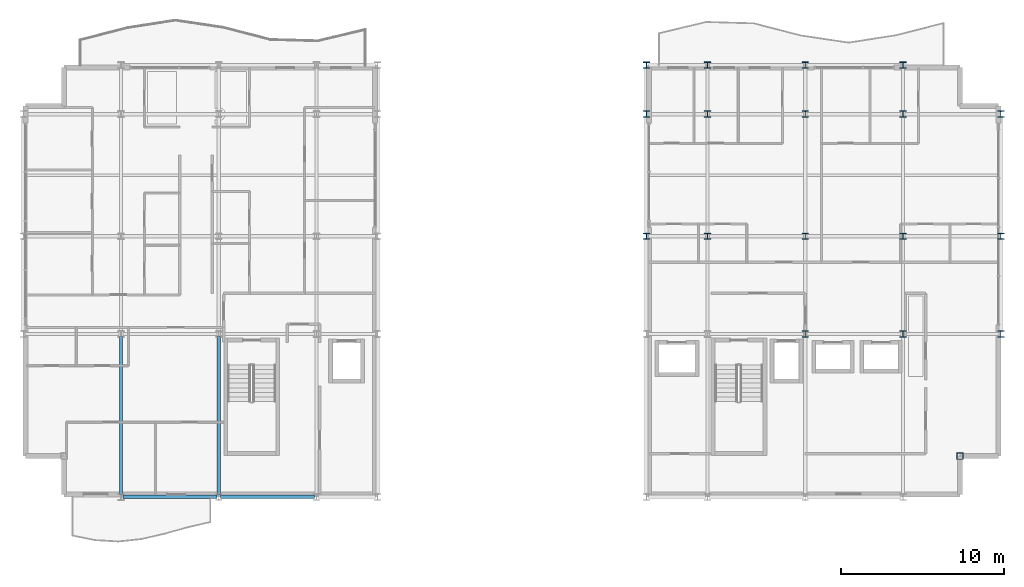
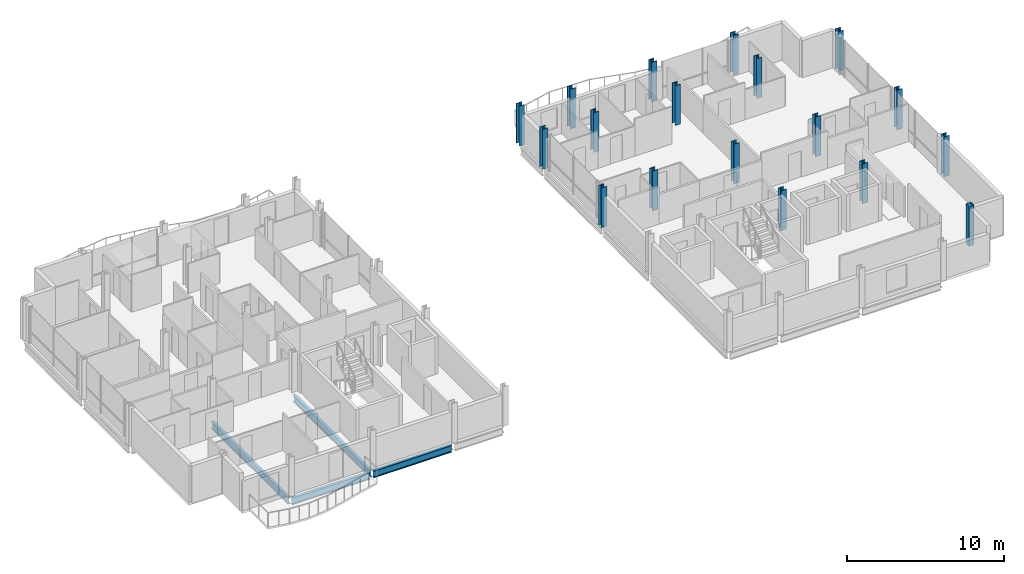
# One storey, part 2 of 27: 18 columns, 4 beams.
"""IFC4 building model written with IfcOpenShell, lengths in metres."""

import ifcopenshell
import ifcopenshell.guid

model = None  # the IFC model being written
_history = None  # IfcOwnerHistory: only IFC2X3 demands one
_inside = {}  # id of a spatial element -> (the spatial element, [elements in it])
_under = {}  # id of a project, library or spatial element -> (it, [spatial elements below it])
_declared = {}  # id of a project -> (the project, [libraries it declares])
_typed = {}  # id of a type object -> (the type object, [elements of that type])
_made_of = {}  # id of a material, layer set ... -> (it, [elements and type objects made of it])


def new_model(schema):
    """Start an empty IFC model of exactly this schema.

    Asked for "IFC4X3", IfcOpenShell would pick the latest addendum, in which some entities
    have other attributes; the version numbers below select the first issue.
    IFC2X3 requires an IfcOwnerHistory on every rooted entity: one is made here for all.
    """
    global model, _history
    if schema == "IFC4X3":
        model = ifcopenshell.file(schema_version=(4, 3, 0, 0))
    else:
        model = ifcopenshell.file(schema=schema)
    _inside.clear()
    _under.clear()
    _declared.clear()
    _typed.clear()
    _made_of.clear()
    _history = None
    if model.schema == "IFC2X3":
        org = make("IfcOrganization", Name="unknown")
        user = make(
            "IfcPersonAndOrganization",
            ThePerson=make("IfcPerson", FamilyName="unknown"),
            TheOrganization=org,
        )
        app = make(
            "IfcApplication",
            ApplicationDeveloper=org,
            Version="unknown",
            ApplicationFullName="unknown",
            ApplicationIdentifier="unknown",
        )
        _history = make(
            "IfcOwnerHistory",
            OwningUser=user,
            OwningApplication=app,
            ChangeAction="ADDED",
            CreationDate=0,
        )
    return model


def make(cls, **values):
    """One entity of the class cls with the attributes given. An attribute that is None is left unset."""
    return model.create_entity(
        cls, **{name: value for name, value in values.items() if value is not None}
    )


def rooted(cls, **values):
    """An entity with a GlobalId (a new one), such as an element, a storey or a relation."""
    return make(cls, GlobalId=ifcopenshell.guid.new(), OwnerHistory=_history, **values)


def si_unit(unit_type, name, prefix=None):
    """IfcSIUnit, for example si_unit("LENGTHUNIT", "METRE", prefix="MILLI")."""
    return make("IfcSIUnit", UnitType=unit_type, Prefix=prefix, Name=name)


def assignment(units):
    """IfcUnitAssignment: the units of a project."""
    return None if units is None else make("IfcUnitAssignment", Units=units)


def point(xyz):
    """IfcCartesianPoint."""
    return None if xyz is None else make("IfcCartesianPoint", Coordinates=xyz)


def direction(xyz):
    """IfcDirection."""
    return None if xyz is None else make("IfcDirection", DirectionRatios=xyz)


def frame(location, z_axis=None, x_axis=None):
    """IfcAxis2Placement3D, a coordinate frame: its origin and axes. An axis left out is left unset."""
    return make(
        "IfcAxis2Placement3D",
        Location=point(location),
        Axis=direction(z_axis),
        RefDirection=direction(x_axis),
    )


def frame_2d(location, x_axis=None):
    """IfcAxis2Placement2D, a coordinate frame in the plane: its origin and x axis."""
    return make(
        "IfcAxis2Placement2D", Location=point(location), RefDirection=direction(x_axis)
    )


def origin():
    """The frame at (0, 0, 0) with its axes left unset."""
    return frame((0.0, 0.0, 0.0))


def origin_2d():
    """The frame at (0, 0) in the plane with its x axis left unset."""
    return frame_2d((0.0, 0.0))


def place(relative_to, where):
    """IfcLocalPlacement: puts the frame where relative to a parent placement (None: the world)."""
    return make(
        "IfcLocalPlacement", PlacementRelTo=relative_to, RelativePlacement=where
    )


def context(
    kind, dimensions, precision=None, world=None, true_north=None, identifier=None
):
    """IfcGeometricRepresentationContext, for example the 3D "Model" context."""
    return make(
        "IfcGeometricRepresentationContext",
        ContextIdentifier=identifier,
        ContextType=kind,
        CoordinateSpaceDimension=dimensions,
        Precision=precision,
        WorldCoordinateSystem=world,
        TrueNorth=true_north,
    )


def subcontext(parent, identifier, kind, view, scale=None):
    """IfcGeometricRepresentationSubContext, for example "Body" below "Model"."""
    return make(
        "IfcGeometricRepresentationSubContext",
        ContextIdentifier=identifier,
        ContextType=kind,
        ParentContext=parent,
        TargetScale=scale,
        TargetView=view,
    )


def project(units=None, contexts=None):
    """IfcProject with its units and contexts."""
    return rooted(
        "IfcProject",
        Name="project",
        RepresentationContexts=contexts,
        UnitsInContext=assignment(units),
    )


def spatial(cls, under=None, at=None, **own):
    """A site, building, storey or space (cls), placed at a placement, below another one or the project."""
    s = rooted(cls, ObjectPlacement=at, **own)
    if under is not None:
        _under.setdefault(under.id(), (under, []))[1].append(s)
    return s


def profile(cls, at=None, kind="AREA", **sizes):
    """A parametric profile (cls). Its sizes go by their IFC names, for example OverallWidth=200.0."""
    return make(cls, ProfileType=kind, Position=at, **sizes)


def hollow_rectangle(**sizes):
    """IfcRectangleHollowProfileDef."""
    return profile("IfcRectangleHollowProfileDef", **sizes)


def i_section(**sizes):
    """IfcIShapeProfileDef."""
    return profile("IfcIShapeProfileDef", **sizes)


def extrude(swept, where, along, depth):
    """IfcExtrudedAreaSolid: the profile swept, set in the frame where, extruded along a direction by depth."""
    return make(
        "IfcExtrudedAreaSolid",
        SweptArea=swept,
        Position=where,
        ExtrudedDirection=direction(along),
        Depth=depth,
    )


def shape(context_of_items, identifier, shape_type, items):
    """IfcShapeRepresentation: the items that make up one representation, for example the "Body"."""
    return make(
        "IfcShapeRepresentation",
        ContextOfItems=context_of_items,
        RepresentationIdentifier=identifier,
        RepresentationType=shape_type,
        Items=items,
    )


def material(Name=None, Category=None):
    """IfcMaterial."""
    return make("IfcMaterial", Name=Name, Category=Category)


def material_profile(
    of_material, cross_section, Name=None, Category=None, Priority=None
):
    """IfcMaterialProfile: a cross section and its material."""
    return make(
        "IfcMaterialProfile",
        Name=Name,
        Material=of_material,
        Profile=cross_section,
        Priority=Priority,
        Category=Category,
    )


def profile_set(profiles, Name=None, composite=None):
    """IfcMaterialProfileSet."""
    return make(
        "IfcMaterialProfileSet",
        Name=Name,
        MaterialProfiles=profiles,
        CompositeProfile=composite,
    )


def made_of(thing, what):
    """Note that an element or type object is made of a material, layer set ...; save() writes the relation."""
    if what is not None:
        _made_of.setdefault(what.id(), (what, []))[1].append(thing)
    return thing


def type_object(cls, material=None, **own):
    """A type object (cls), such as IfcWallType, which elements share."""
    return made_of(rooted(cls, **own), material)


def element(
    cls,
    number,
    at=None,
    inside=None,
    cuts=None,
    type_object=None,
    material=None,
    context=None,
    identifier="Body",
    shape_type=None,
    held_by="IfcProductDefinitionShape",
    body=None,
    shapes=None,
    **own,
):
    """One element of the class cls, such as IfcWall. Its Tag is "e" and its number.

    at: its placement. inside: the storey or other place that contains it. cuts: it is an
    opening in that element (IfcRelVoidsElement). A single representation is given by context,
    identifier, shape_type and body (its items); several are given by shapes. held_by: the class
    of the entity that holds the representations. save() writes the other relations.
    """
    e = rooted(cls, Tag="e%d" % number, ObjectPlacement=at, **own)
    if body is not None:
        shapes = [shape(context, identifier, shape_type, body)]
    if shapes is not None:
        e.Representation = make(held_by, Representations=shapes)
    if inside is not None:
        _inside.setdefault(inside.id(), (inside, []))[1].append(e)
    if cuts is not None:
        rooted(
            "IfcRelVoidsElement", RelatingBuildingElement=cuts, RelatedOpeningElement=e
        )
    if type_object is not None:
        _typed.setdefault(type_object.id(), (type_object, []))[1].append(e)
    return made_of(e, material)


def aggregate(whole, parts):
    """IfcRelAggregates: a whole, such as a stair, and the parts it consists of."""
    return rooted("IfcRelAggregates", RelatingObject=whole, RelatedObjects=parts)


def save(model, path):
    """Write the relations noted so far, then the file.

    IfcRelAggregates (storeys below a building ...), IfcRelContainedInSpatialStructure (elements
    in a storey), IfcRelDefinesByType, IfcRelAssociatesMaterial and IfcRelDeclares: one each for
    every whole, place, type object, material and project.
    """
    for whole, parts in _under.values():
        aggregate(whole, parts)
    for where, things in _inside.values():
        rooted(
            "IfcRelContainedInSpatialStructure",
            RelatedElements=things,
            RelatingStructure=where,
        )
    for kind, things in _typed.values():
        rooted("IfcRelDefinesByType", RelatedObjects=things, RelatingType=kind)
    for what, things in _made_of.values():
        rooted("IfcRelAssociatesMaterial", RelatedObjects=things, RelatingMaterial=what)
    for by, libraries in _declared.values():
        rooted("IfcRelDeclares", RelatingContext=by, RelatedDefinitions=libraries)
    model.write(path)


model = new_model("IFC4")

# Units and contexts
model_context = context("Model", 3, precision=1e-05, world=origin(), true_north=direction((0.0, 1.0)))
body_context = subcontext(model_context, "Body", "Model", "MODEL_VIEW")
ifc_project = project(units=[si_unit("LENGTHUNIT", "METRE"), si_unit("AREAUNIT", "SQUARE_METRE"), si_unit("VOLUMEUNIT", "CUBIC_METRE"), si_unit("PLANEANGLEUNIT", "RADIAN"), si_unit("MASSUNIT", "GRAM", prefix="KILO")], contexts=[model_context])

# Site, building, storey
site_placement = place(None, origin())
site = spatial("IfcSite", under=ifc_project, at=site_placement, CompositionType="ELEMENT")
building_placement = place(site_placement, origin())
building = spatial("IfcBuilding", under=site, at=building_placement, Name="Brevholm Reach", CompositionType="ELEMENT")
storey_placement = place(building_placement, frame((0.0, 0.0, 195.60009765625)))
storey = spatial("IfcBuildingStorey", under=building, at=storey_placement, Name="L59", CompositionType="ELEMENT", Elevation=195.60009765625)

# Columns
ifc_material_1 = material(Name="Structural Steel S460NH", Category="steel")
ifc_material_profile_1 = material_profile(ifc_material_1, hollow_rectangle(XDim=0.39990234375, YDim=0.39990234375, WallThickness=0.02001953125, InnerFilletRadius=0.011962890625, OuterFilletRadius=0.02392578125, at=origin_2d()), Name="SHS 400x400x20")
ifc_profile_set_1 = profile_set([ifc_material_profile_1], Name="Structural Steel S460NH")
column_type_1 = type_object("IfcColumnType", Name="COL-SHS2", PredefinedType="COLUMN", material=ifc_profile_set_1)
column_placement = place(storey_placement, frame((57.5, 2.5, 0.0), z_axis=(0.0, 0.0, 1.0), x_axis=(1.0, 0.0, 0.0)))
element("IfcColumn", 1, at=column_placement, inside=storey, type_object=column_type_1, Name="L59 Column 45", PredefinedType="COLUMN", context=body_context, shape_type="SweptSolid", body=[
    extrude(hollow_rectangle(XDim=0.39990234375, YDim=0.39990234375, WallThickness=0.02001953125, InnerFilletRadius=0.011962890625, OuterFilletRadius=0.02392578125, at=origin_2d()), origin(), (0.0, 0.0, 1.0), 3.099853515625),
])
ifc_material_2 = material(Name="Structural Steel S355J2", Category="steel")
ifc_material_profile_2 = material_profile(ifc_material_2, i_section(OverallWidth=0.39892578125, OverallDepth=0.3935546875, WebThickness=0.022705078125, FlangeThickness=0.03662109375, FilletRadius=0.01513671875, at=origin_2d()), Name="UKC 356x406x287")
ifc_profile_set_2 = profile_set([ifc_material_profile_2], Name="Structural Steel S355J2")
column_type_2 = type_object("IfcColumnType", Name="COL-UC5B", PredefinedType="COLUMN", material=ifc_profile_set_2)
for number, where, z_axis, x_axis, name in (
    (2, (38.25, 16.0, 0.0), (0.0, 0.0, 1.0), (1.0, 0.0, 0.0), "L59 Column 27"),
    (3, (38.25, 23.5, 0.0), (0.0, 0.0, 1.0), (1.0, 0.0, 0.0), "L59 Column 28"),
    (4, (38.25, 26.5, 0.0), (0.0, 0.0, 1.0), (1.0, 0.0, 0.0), "L59 Column 29"),
    (5, (42.0, 16.0, 0.0), (0.0, 0.0, 1.0), (1.0, 0.0, 0.0), "L59 Column 32"),
    (6, (42.0, 23.5, 0.0), (0.0, 0.0, 1.0), (1.0, 0.0, 0.0), "L59 Column 33"),
    (7, (42.0, 26.5, 0.0), (0.0, 0.0, 1.0), (1.0, 0.0, 0.0), "L59 Column 34"),
    (8, (48.0, 10.0, 0.0), (0.0, 0.0, 1.0), (1.0, 0.0, 0.0), "L59 Column 36"),
    (9, (48.0, 16.0, 0.0), (0.0, 0.0, 1.0), (1.0, 0.0, 0.0), "L59 Column 37"),
    (10, (48.0, 23.5, 0.0), (0.0, 0.0, 1.0), (1.0, 0.0, 0.0), "L59 Column 38"),
    (11, (48.0, 26.5, 0.0), (0.0, 0.0, 1.0), (1.0, 0.0, 0.0), "L59 Column 39"),
    (12, (54.0, 10.0, 0.0), (0.0, 0.0, 1.0), (1.0, 0.0, 0.0), "L59 Column 41"),
    (13, (54.0, 16.0, 0.0), (0.0, 0.0, 1.0), (1.0, 0.0, 0.0), "L59 Column 42"),
    (14, (54.0, 23.5, 0.0), (0.0, 0.0, 1.0), (1.0, 0.0, 0.0), "L59 Column 43"),
    (15, (54.0, 26.5, 0.0), (0.0, 0.0, 1.0), (1.0, 0.0, 0.0), "L59 Column 44"),
    (16, (60.0, 10.0, 0.0), (0.0, 0.0, 1.0), (1.0, 0.0, 0.0), "L59 Column 46"),
    (17, (60.0, 16.0, 0.0), (0.0, 0.0, 1.0), (1.0, 0.0, 0.0), "L59 Column 47"),
    (18, (60.0, 23.5, 0.0), (0.0, 0.0, 1.0), (1.0, 0.0, 0.0), "L59 Column 48"),
):
    element("IfcColumn", number, at=place(storey_placement, frame(where, z_axis=z_axis, x_axis=x_axis)), inside=storey, type_object=column_type_2, Name=name, PredefinedType="COLUMN", context=body_context, shape_type="SweptSolid", body=[
        extrude(i_section(OverallWidth=0.39892578125, OverallDepth=0.3935546875, WebThickness=0.022705078125, FlangeThickness=0.03662109375, FilletRadius=0.01513671875, at=origin_2d()), origin(), (0.0, 0.0, 1.0), 3.099853515625),
    ])

# Beams
ifc_material_3 = material(Name="Structural Steel S355J2", Category="steel")
ifc_material_profile_3 = material_profile(ifc_material_3, i_section(OverallWidth=0.209228515625, OverallDepth=0.533203125, WebThickness=0.010009765625, FlangeThickness=0.015625, FilletRadius=0.0126953125, at=origin_2d()), Name="UKB 533x210x92")
ifc_profile_set_3 = profile_set([ifc_material_profile_3], Name="Structural Steel S355J2")
beam_type_1 = type_object("IfcBeamType", Name="BM-SP533", PredefinedType="SPANDREL", material=ifc_profile_set_3)
for number, where, z_axis, x_axis, name in (
    (19, (6.1201171875, 0.0, -0.4765625), (1.0, 0.0, 0.0), (0.0, 1.0, 0.0), "L59 SP-02 Framing Beam"),
    (20, (12.1201171875, 0.0, -0.4765625), (1.0, 0.0, 0.0), (0.0, 1.0, 0.0), "L59 SP-02 Framing Beam"),
):
    element("IfcBeam", number, at=place(storey_placement, frame(where, z_axis=z_axis, x_axis=x_axis)), inside=storey, type_object=beam_type_1, Name=name, PredefinedType="SPANDREL", context=body_context, shape_type="SweptSolid", body=[
        extrude(i_section(OverallWidth=0.209228515625, OverallDepth=0.533203125, WebThickness=0.010009765625, FlangeThickness=0.015625, FilletRadius=0.0126953125, at=origin_2d()), origin(), (0.0, 0.0, 1.0), 5.759765625),
    ])
ifc_material_4 = material(Name="Structural Steel S355J2", Category="steel")
ifc_material_profile_4 = material_profile(ifc_material_4, i_section(OverallWidth=0.210693359375, OverallDepth=0.53955078125, WebThickness=0.01171875, FlangeThickness=0.018798828125, FilletRadius=0.0126953125, at=origin_2d()), Name="UKB 533x210x109")
ifc_profile_set_4 = profile_set([ifc_material_profile_4], Name="Structural Steel S355J2")
beam_type_2 = type_object("IfcBeamType", Name="BM-SP539", PredefinedType="SPANDREL", material=ifc_profile_set_4)
for number, where, z_axis, x_axis, name in (
    (21, (6.0, 0.1201171875, -0.479736328125), (0.0, 1.0, 0.0), (-1.0, 0.0, 0.0), "L59 SP-01B Framing Beam"),
    (22, (12.0, 0.1201171875, -0.479736328125), (0.0, 1.0, 0.0), (-1.0, 0.0, 0.0), "L59 SP-01B Framing Beam"),
):
    element("IfcBeam", number, at=place(storey_placement, frame(where, z_axis=z_axis, x_axis=x_axis)), inside=storey, type_object=beam_type_2, Name=name, PredefinedType="SPANDREL", context=body_context, shape_type="SweptSolid", body=[
        extrude(i_section(OverallWidth=0.210693359375, OverallDepth=0.53955078125, WebThickness=0.01171875, FlangeThickness=0.018798828125, FilletRadius=0.0126953125, at=origin_2d()), origin(), (0.0, 0.0, 1.0), 9.759765625),
    ])

save(model, "model.ifc")
